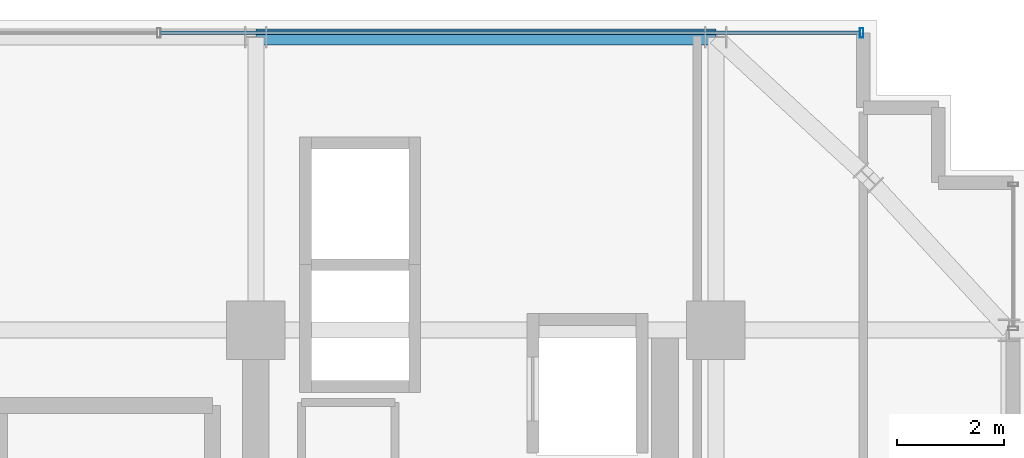
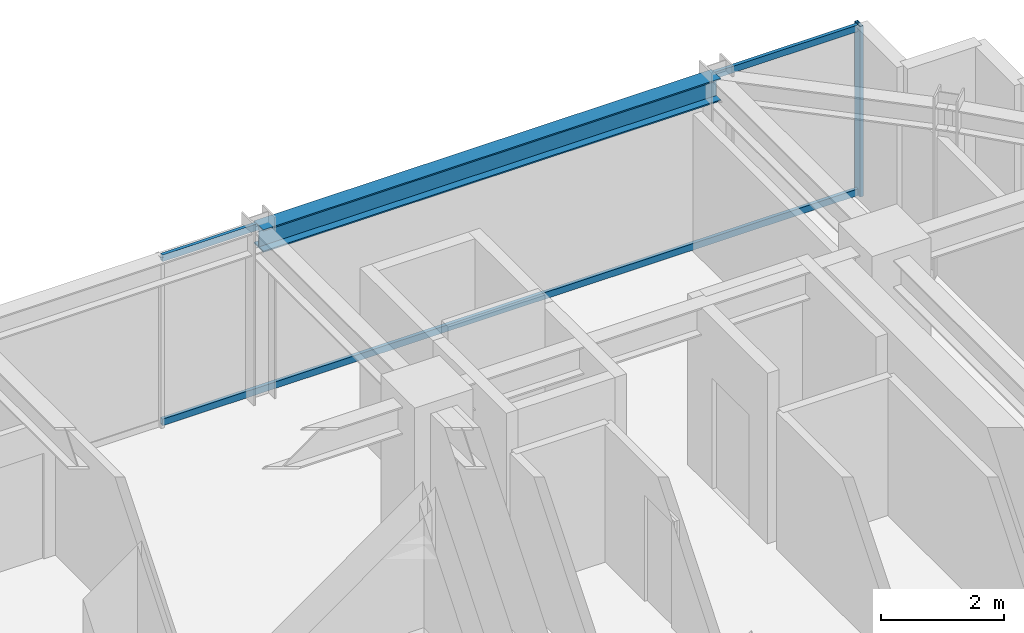
# One storey, part 23 of 31: 3 members, 1 beam, 1 element without a shape of its own.
"""IFC4 building model written with IfcOpenShell, lengths in metres."""

from ifc_helpers import new_model, si_unit, direction, frame, origin, origin_2d, place, context, subcontext, project, spatial, hollow_rectangle, i_section, extrude, source, transform, mapped, material, material_profile, profile_set, type_object, element, aggregate, save


model = new_model("IFC4")

# Units and contexts
model_context = context("Model", 3, precision=1e-05, world=origin(), true_north=direction((0.0, 1.0)))
body_context = subcontext(model_context, "Body", "Model", "MODEL_VIEW")
ifc_project = project(units=[si_unit("LENGTHUNIT", "METRE"), si_unit("AREAUNIT", "SQUARE_METRE"), si_unit("VOLUMEUNIT", "CUBIC_METRE"), si_unit("PLANEANGLEUNIT", "RADIAN"), si_unit("MASSUNIT", "GRAM", prefix="KILO")], contexts=[model_context])

# Site, building, storey
site_placement = place(None, origin())
site = spatial("IfcSite", under=ifc_project, at=site_placement, CompositionType="ELEMENT")
building_placement = place(site_placement, origin())
building = spatial("IfcBuilding", under=site, at=building_placement, Name="Nahalor Promenade Grand Hotel", CompositionType="ELEMENT")
storey_placement = place(building_placement, frame((0.0, 0.0, 192.800048828125)))
storey = spatial("IfcBuildingStorey", under=building, at=storey_placement, Name="L49", CompositionType="ELEMENT", Elevation=192.800048828125)

# Beam
ifc_material_1 = material(Name="Steel S355JR", Category="steel")
ifc_material_profile_1 = material_profile(ifc_material_1, i_section(OverallWidth=0.3, OverallDepth=0.45, WebThickness=0.014, FlangeThickness=0.026, at=origin_2d()), Name="HEB 450")
ifc_profile_set_1 = profile_set([ifc_material_profile_1], Name="Steel S355JR")
beam_type = type_object("IfcBeamType", Name="Beam-Spandrel-HEB450", PredefinedType="SPANDREL", material=ifc_profile_set_1)
shared_shape_1 = source(origin(), body_context, "Body", "SweptSolid", [
    extrude(i_section(OverallWidth=0.3, OverallDepth=0.45, WebThickness=0.014, FlangeThickness=0.026, at=origin_2d()), origin(), (0.0, 0.0, 1.0), 8.60009765625),
])
beam_placement = place(storey_placement, frame((8.39990234375, 22.47998046875, 3.1650390625), z_axis=(1.0, 0.0, 0.0), x_axis=(0.0, 1.0, 0.0)))
element("IfcBeam", 1, at=beam_placement, inside=storey, type_object=beam_type, Name="BM-L49-SP-N-4", PredefinedType="SPANDREL", context=body_context, shape_type="MappedRepresentation", body=[
    mapped(shared_shape_1, transform((0.0, 0.0, 0.0), scale=1.0)),
])

# Curtain wall, members
ifc_material_2 = material(Name="Anodised Bronze Aluminium EN AW-6063 T6", Category="aluminium")
curtain_wall_type = type_object("IfcCurtainWallType", Name="CW2 Typical Hotel Flush Bronze Unitised Curtain Wall", PredefinedType="USERDEFINED", material=ifc_material_2)
curtain_wall_placement = place(storey_placement, origin())
curtain_wall = element("IfcCurtainWall", 2, at=curtain_wall_placement, inside=storey, type_object=curtain_wall_type, Name="L49 Curtain Wall CW-L49-N-1", ObjectType="UNITISED_CURTAIN_WALL", PredefinedType="USERDEFINED")
ifc_material_profile_2 = material_profile(ifc_material_2, hollow_rectangle(XDim=0.065, YDim=0.18, WallThickness=0.004, at=origin_2d()), Name="CWM 65x180x4")
ifc_profile_set_2 = profile_set([ifc_material_profile_2], Name="Anodised Bronze Aluminium EN AW-6063 T6")
member_type_1 = type_object("IfcMemberType", Name="CWM2 Typical Bronze Mullion 65x180", PredefinedType="MULLION", material=ifc_profile_set_2)
shared_shape_2 = source(origin(), body_context, "Body", "SweptSolid", [
    extrude(hollow_rectangle(XDim=0.065, YDim=0.18, WallThickness=0.004, at=origin_2d()), origin(), (0.0, 0.0, 1.0), 3.389892578125),
])
member_1_placement = place(storey_placement, frame((19.7275390625, 22.56005859375, 0.0), z_axis=(0.0, 0.0, 1.0), x_axis=(1.0, 0.0, 0.0)))
member_1 = element("IfcMember", 3, at=member_1_placement, type_object=member_type_1, Name="CW-L49-N-1 Mullion 3", PredefinedType="MULLION", context=body_context, shape_type="MappedRepresentation", body=[
    mapped(shared_shape_2, transform((0.0, 0.0, 0.0), scale=1.0)),
])
ifc_material_profile_3 = material_profile(ifc_material_2, hollow_rectangle(XDim=0.065, YDim=0.13, WallThickness=0.004, at=origin_2d()), Name="CWT 65x130x4")
ifc_profile_set_3 = profile_set([ifc_material_profile_3], Name="Anodised Bronze Aluminium EN AW-6063 T6")
member_type_2 = type_object("IfcMemberType", Name="CWT2 Typical Bronze Transom 65x130", PredefinedType="USERDEFINED", material=ifc_profile_set_3)
shared_shape_3 = source(origin(), body_context, "Body", "SweptSolid", [
    extrude(hollow_rectangle(XDim=0.065, YDim=0.13, WallThickness=0.004, at=origin_2d()), origin(), (0.0, 0.0, 1.0), 13.075927734375),
])
member_2_placement = place(storey_placement, frame((6.619140625, 22.56005859375, 0.06494140625), z_axis=(1.0, 0.0, 0.0), x_axis=(0.0, 1.0, 0.0)))
member_2 = element("IfcMember", 4, at=member_2_placement, type_object=member_type_2, Name="CW-L49-N-1 Transom 2-0", ObjectType="TRANSOM", PredefinedType="USERDEFINED", context=body_context, shape_type="MappedRepresentation", body=[
    mapped(shared_shape_3, transform((0.0, 0.0, 0.0), scale=1.0)),
])
member_3_placement = place(storey_placement, frame((6.619140625, 22.56005859375, 3.324951171875), z_axis=(1.0, 0.0, 0.0), x_axis=(0.0, 1.0, 0.0)))
member_3 = element("IfcMember", 5, at=member_3_placement, type_object=member_type_2, Name="CW-L49-N-1 Transom 2-1", ObjectType="TRANSOM", PredefinedType="USERDEFINED", context=body_context, shape_type="MappedRepresentation", body=[
    mapped(shared_shape_3, transform((0.0, 0.0, 0.0), scale=1.0)),
])
aggregate(curtain_wall, [member_1, member_2, member_3])

save(model, "model.ifc")
